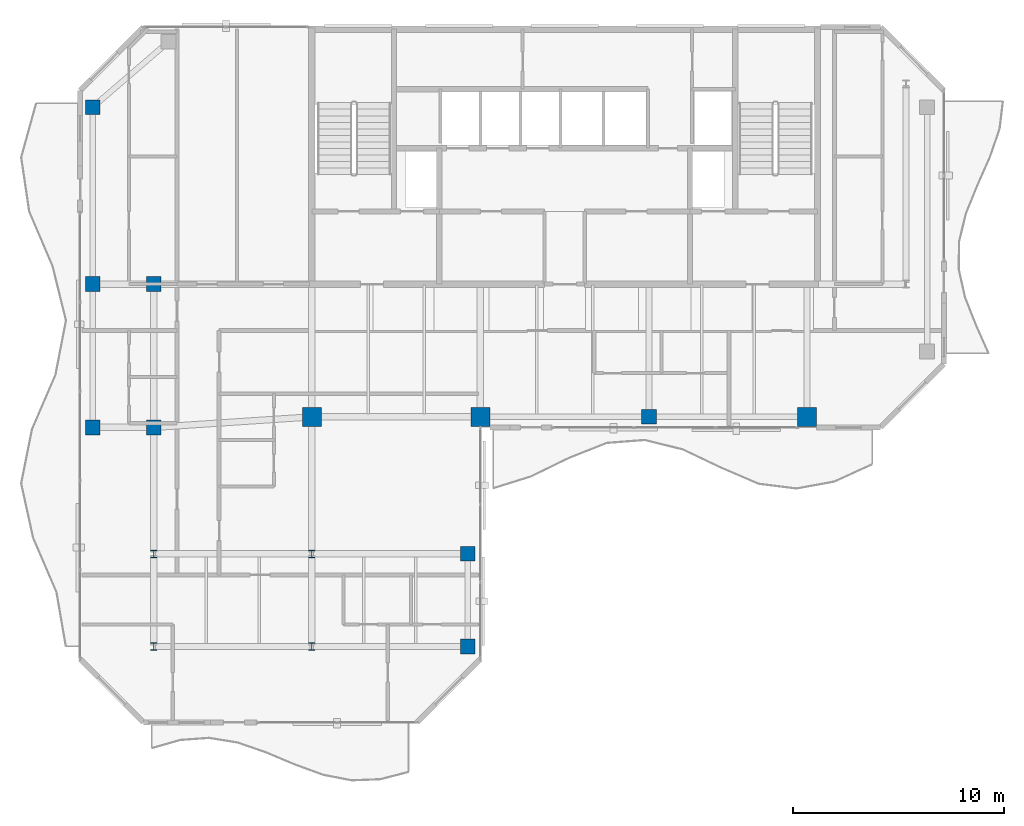
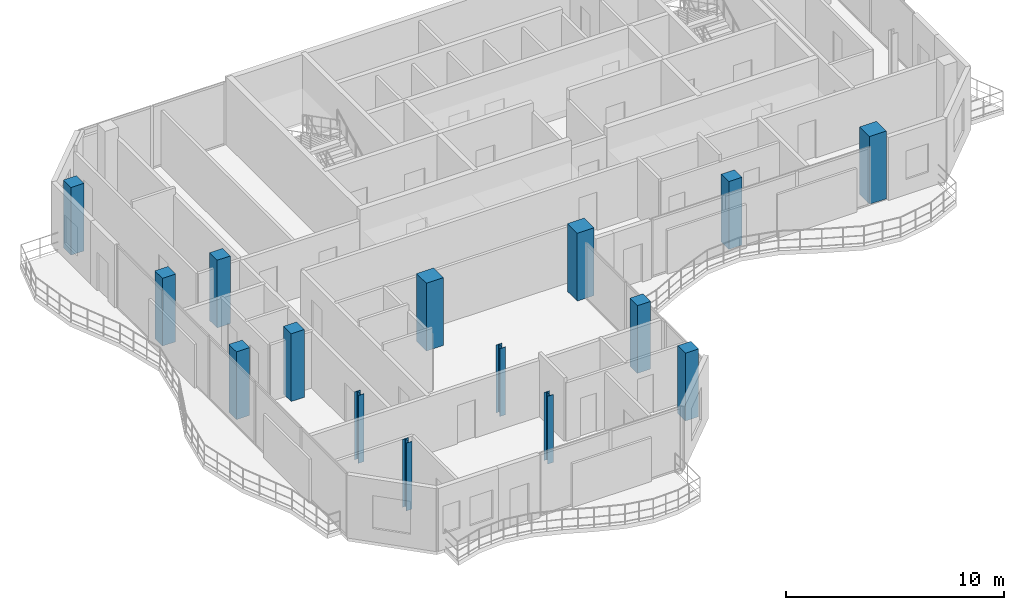
# One storey, part 1 of 23: 15 columns.
"""IFC4 building model written with IfcOpenShell, lengths in metres."""

import ifcopenshell
import ifcopenshell.guid

model = None  # the IFC model being written
_history = None  # IfcOwnerHistory: only IFC2X3 demands one
_inside = {}  # id of a spatial element -> (the spatial element, [elements in it])
_under = {}  # id of a project, library or spatial element -> (it, [spatial elements below it])
_declared = {}  # id of a project -> (the project, [libraries it declares])
_typed = {}  # id of a type object -> (the type object, [elements of that type])
_made_of = {}  # id of a material, layer set ... -> (it, [elements and type objects made of it])


def new_model(schema):
    """Start an empty IFC model of exactly this schema.

    Asked for "IFC4X3", IfcOpenShell would pick the latest addendum, in which some entities
    have other attributes; the version numbers below select the first issue.
    IFC2X3 requires an IfcOwnerHistory on every rooted entity: one is made here for all.
    """
    global model, _history
    if schema == "IFC4X3":
        model = ifcopenshell.file(schema_version=(4, 3, 0, 0))
    else:
        model = ifcopenshell.file(schema=schema)
    _inside.clear()
    _under.clear()
    _declared.clear()
    _typed.clear()
    _made_of.clear()
    _history = None
    if model.schema == "IFC2X3":
        org = make("IfcOrganization", Name="unknown")
        user = make(
            "IfcPersonAndOrganization",
            ThePerson=make("IfcPerson", FamilyName="unknown"),
            TheOrganization=org,
        )
        app = make(
            "IfcApplication",
            ApplicationDeveloper=org,
            Version="unknown",
            ApplicationFullName="unknown",
            ApplicationIdentifier="unknown",
        )
        _history = make(
            "IfcOwnerHistory",
            OwningUser=user,
            OwningApplication=app,
            ChangeAction="ADDED",
            CreationDate=0,
        )
    return model


def make(cls, **values):
    """One entity of the class cls with the attributes given. An attribute that is None is left unset."""
    return model.create_entity(
        cls, **{name: value for name, value in values.items() if value is not None}
    )


def rooted(cls, **values):
    """An entity with a GlobalId (a new one), such as an element, a storey or a relation."""
    return make(cls, GlobalId=ifcopenshell.guid.new(), OwnerHistory=_history, **values)


def si_unit(unit_type, name, prefix=None):
    """IfcSIUnit, for example si_unit("LENGTHUNIT", "METRE", prefix="MILLI")."""
    return make("IfcSIUnit", UnitType=unit_type, Prefix=prefix, Name=name)


def assignment(units):
    """IfcUnitAssignment: the units of a project."""
    return None if units is None else make("IfcUnitAssignment", Units=units)


def point(xyz):
    """IfcCartesianPoint."""
    return None if xyz is None else make("IfcCartesianPoint", Coordinates=xyz)


def direction(xyz):
    """IfcDirection."""
    return None if xyz is None else make("IfcDirection", DirectionRatios=xyz)


def frame(location, z_axis=None, x_axis=None):
    """IfcAxis2Placement3D, a coordinate frame: its origin and axes. An axis left out is left unset."""
    return make(
        "IfcAxis2Placement3D",
        Location=point(location),
        Axis=direction(z_axis),
        RefDirection=direction(x_axis),
    )


def frame_2d(location, x_axis=None):
    """IfcAxis2Placement2D, a coordinate frame in the plane: its origin and x axis."""
    return make(
        "IfcAxis2Placement2D", Location=point(location), RefDirection=direction(x_axis)
    )


def origin():
    """The frame at (0, 0, 0) with its axes left unset."""
    return frame((0.0, 0.0, 0.0))


def origin_2d():
    """The frame at (0, 0) in the plane with its x axis left unset."""
    return frame_2d((0.0, 0.0))


def place(relative_to, where):
    """IfcLocalPlacement: puts the frame where relative to a parent placement (None: the world)."""
    return make(
        "IfcLocalPlacement", PlacementRelTo=relative_to, RelativePlacement=where
    )


def context(
    kind, dimensions, precision=None, world=None, true_north=None, identifier=None
):
    """IfcGeometricRepresentationContext, for example the 3D "Model" context."""
    return make(
        "IfcGeometricRepresentationContext",
        ContextIdentifier=identifier,
        ContextType=kind,
        CoordinateSpaceDimension=dimensions,
        Precision=precision,
        WorldCoordinateSystem=world,
        TrueNorth=true_north,
    )


def subcontext(parent, identifier, kind, view, scale=None):
    """IfcGeometricRepresentationSubContext, for example "Body" below "Model"."""
    return make(
        "IfcGeometricRepresentationSubContext",
        ContextIdentifier=identifier,
        ContextType=kind,
        ParentContext=parent,
        TargetScale=scale,
        TargetView=view,
    )


def project(units=None, contexts=None):
    """IfcProject with its units and contexts."""
    return rooted(
        "IfcProject",
        Name="project",
        RepresentationContexts=contexts,
        UnitsInContext=assignment(units),
    )


def spatial(cls, under=None, at=None, **own):
    """A site, building, storey or space (cls), placed at a placement, below another one or the project."""
    s = rooted(cls, ObjectPlacement=at, **own)
    if under is not None:
        _under.setdefault(under.id(), (under, []))[1].append(s)
    return s


def profile(cls, at=None, kind="AREA", **sizes):
    """A parametric profile (cls). Its sizes go by their IFC names, for example OverallWidth=200.0."""
    return make(cls, ProfileType=kind, Position=at, **sizes)


def rectangle(**sizes):
    """IfcRectangleProfileDef."""
    return profile("IfcRectangleProfileDef", **sizes)


def i_section(**sizes):
    """IfcIShapeProfileDef."""
    return profile("IfcIShapeProfileDef", **sizes)


def extrude(swept, where, along, depth):
    """IfcExtrudedAreaSolid: the profile swept, set in the frame where, extruded along a direction by depth."""
    return make(
        "IfcExtrudedAreaSolid",
        SweptArea=swept,
        Position=where,
        ExtrudedDirection=direction(along),
        Depth=depth,
    )


def shape(context_of_items, identifier, shape_type, items):
    """IfcShapeRepresentation: the items that make up one representation, for example the "Body"."""
    return make(
        "IfcShapeRepresentation",
        ContextOfItems=context_of_items,
        RepresentationIdentifier=identifier,
        RepresentationType=shape_type,
        Items=items,
    )


def material(Name=None, Category=None):
    """IfcMaterial."""
    return make("IfcMaterial", Name=Name, Category=Category)


def material_profile(
    of_material, cross_section, Name=None, Category=None, Priority=None
):
    """IfcMaterialProfile: a cross section and its material."""
    return make(
        "IfcMaterialProfile",
        Name=Name,
        Material=of_material,
        Profile=cross_section,
        Priority=Priority,
        Category=Category,
    )


def profile_set(profiles, Name=None, composite=None):
    """IfcMaterialProfileSet."""
    return make(
        "IfcMaterialProfileSet",
        Name=Name,
        MaterialProfiles=profiles,
        CompositeProfile=composite,
    )


def made_of(thing, what):
    """Note that an element or type object is made of a material, layer set ...; save() writes the relation."""
    if what is not None:
        _made_of.setdefault(what.id(), (what, []))[1].append(thing)
    return thing


def type_object(cls, material=None, **own):
    """A type object (cls), such as IfcWallType, which elements share."""
    return made_of(rooted(cls, **own), material)


def element(
    cls,
    number,
    at=None,
    inside=None,
    cuts=None,
    type_object=None,
    material=None,
    context=None,
    identifier="Body",
    shape_type=None,
    held_by="IfcProductDefinitionShape",
    body=None,
    shapes=None,
    **own,
):
    """One element of the class cls, such as IfcWall. Its Tag is "e" and its number.

    at: its placement. inside: the storey or other place that contains it. cuts: it is an
    opening in that element (IfcRelVoidsElement). A single representation is given by context,
    identifier, shape_type and body (its items); several are given by shapes. held_by: the class
    of the entity that holds the representations. save() writes the other relations.
    """
    e = rooted(cls, Tag="e%d" % number, ObjectPlacement=at, **own)
    if body is not None:
        shapes = [shape(context, identifier, shape_type, body)]
    if shapes is not None:
        e.Representation = make(held_by, Representations=shapes)
    if inside is not None:
        _inside.setdefault(inside.id(), (inside, []))[1].append(e)
    if cuts is not None:
        rooted(
            "IfcRelVoidsElement", RelatingBuildingElement=cuts, RelatedOpeningElement=e
        )
    if type_object is not None:
        _typed.setdefault(type_object.id(), (type_object, []))[1].append(e)
    return made_of(e, material)


def aggregate(whole, parts):
    """IfcRelAggregates: a whole, such as a stair, and the parts it consists of."""
    return rooted("IfcRelAggregates", RelatingObject=whole, RelatedObjects=parts)


def save(model, path):
    """Write the relations noted so far, then the file.

    IfcRelAggregates (storeys below a building ...), IfcRelContainedInSpatialStructure (elements
    in a storey), IfcRelDefinesByType, IfcRelAssociatesMaterial and IfcRelDeclares: one each for
    every whole, place, type object, material and project.
    """
    for whole, parts in _under.values():
        aggregate(whole, parts)
    for where, things in _inside.values():
        rooted(
            "IfcRelContainedInSpatialStructure",
            RelatedElements=things,
            RelatingStructure=where,
        )
    for kind, things in _typed.values():
        rooted("IfcRelDefinesByType", RelatedObjects=things, RelatingType=kind)
    for what, things in _made_of.values():
        rooted("IfcRelAssociatesMaterial", RelatedObjects=things, RelatingMaterial=what)
    for by, libraries in _declared.values():
        rooted("IfcRelDeclares", RelatingContext=by, RelatedDefinitions=libraries)
    model.write(path)


model = new_model("IFC4")

# Units and contexts
model_context = context("Model", 3, precision=1e-05, world=origin(), true_north=direction((0.0, 1.0)))
body_context = subcontext(model_context, "Body", "Model", "MODEL_VIEW")
ifc_project = project(units=[si_unit("LENGTHUNIT", "METRE"), si_unit("AREAUNIT", "SQUARE_METRE"), si_unit("VOLUMEUNIT", "CUBIC_METRE"), si_unit("PLANEANGLEUNIT", "RADIAN"), si_unit("MASSUNIT", "GRAM", prefix="KILO")], contexts=[model_context])

# Site, building, storey
site_placement = place(None, origin())
site = spatial("IfcSite", under=ifc_project, at=site_placement, CompositionType="ELEMENT")
building_placement = place(site_placement, origin())
building = spatial("IfcBuilding", under=site, at=building_placement, Name="Catumbela Crestline Tower", CompositionType="ELEMENT")
storey_placement = place(building_placement, frame((0.0, 0.0, 248.8)))
storey = spatial("IfcBuildingStorey", under=building, at=storey_placement, Name="L64", CompositionType="ELEMENT", Elevation=248.8)

# Columns
ifc_material_1 = material(Name="Concrete C45/55", Category="concrete")
ifc_material_profile_1 = material_profile(ifc_material_1, rectangle(XDim=0.7, YDim=0.7, at=origin_2d()), Name="RC 700x700")
ifc_profile_set_1 = profile_set([ifc_material_profile_1], Name="Concrete C45/55")
column_type_1 = type_object("IfcColumnType", Name="C-RC700-C45", PredefinedType="COLUMN", material=ifc_profile_set_1)
for number, where, z_axis, x_axis, name in (
    (1, (8.5, 24.0, 0.0), (0.0, 0.0, 1.0), (1.0, 0.0, 0.0), "L64 Column C-08-24 (RC 700x700)"),
    (2, (32.0, 24.5, 0.0), (0.0, 0.0, 1.0), (1.0, 0.0, 0.0), "L64 Column C-32-24 (RC 700x700)"),
    (3, (5.6, 24.0, 0.0), (0.0, 0.0, 1.0), (1.0, 0.0, 0.0), "L64 Column C-05-24 (RC 700x700)"),
    (4, (5.6, 30.8, 0.0), (0.0, 0.0, 1.0), (1.0, 0.0, 0.0), "L64 Column C-05-31 (RC 700x700)"),
    (5, (5.6, 39.2, 0.0), (0.0, 0.0, 1.0), (1.0, 0.0, 0.0), "L64 Column C-05-43 (RC 700x700)"),
    (6, (8.5, 30.8, 0.0), (0.0, 0.0, 1.0), (1.0, 0.0, 0.0), "L64 Column C-08-31 (RC 700x700)"),
    (7, (23.4, 13.6, 0.0), (0.0, 0.0, 1.0), (1.0, 0.0, 0.0), "L64 Column C-24-10 (RC 700x700)"),
    (8, (23.4, 18.0, 0.0), (0.0, 0.0, 1.0), (1.0, 0.0, 0.0), "L64 Column C-24-16 (RC 700x700)"),
):
    element("IfcColumn", number, at=place(storey_placement, frame(where, z_axis=z_axis, x_axis=x_axis)), inside=storey, type_object=column_type_1, Name=name, PredefinedType="COLUMN", context=body_context, shape_type="SweptSolid", body=[
        extrude(rectangle(XDim=0.7, YDim=0.7, at=origin_2d()), origin(), (0.0, 0.0, 1.0), 3.8),
    ])
ifc_material_profile_2 = material_profile(ifc_material_1, rectangle(XDim=0.9, YDim=0.9, at=origin_2d()), Name="RC 900x900")
ifc_profile_set_2 = profile_set([ifc_material_profile_2], Name="Concrete C45/55")
column_type_2 = type_object("IfcColumnType", Name="C-RC900-C45", PredefinedType="COLUMN", material=ifc_profile_set_2)
for number, where, z_axis, x_axis, name in (
    (9, (16.0, 24.5, 0.0), (0.0, 0.0, 1.0), (1.0, 0.0, 0.0), "L64 Column C-16-24 (RC 900x900)"),
    (10, (24.0, 24.5, 0.0), (0.0, 0.0, 1.0), (1.0, 0.0, 0.0), "L64 Column C-24-24 (RC 900x900)"),
    (11, (39.5, 24.5, 0.0), (0.0, 0.0, 1.0), (1.0, 0.0, 0.0), "L64 Column C-40-24 (RC 900x900)"),
):
    element("IfcColumn", number, at=place(storey_placement, frame(where, z_axis=z_axis, x_axis=x_axis)), inside=storey, type_object=column_type_2, Name=name, PredefinedType="COLUMN", context=body_context, shape_type="SweptSolid", body=[
        extrude(rectangle(XDim=0.9, YDim=0.9, at=origin_2d()), origin(), (0.0, 0.0, 1.0), 3.8),
    ])
ifc_material_2 = material(Name="Structural steel S355J2", Category="steel")
ifc_material_profile_3 = material_profile(ifc_material_2, i_section(OverallWidth=0.3, OverallDepth=0.36, WebThickness=0.0125, FlangeThickness=0.0225, FilletRadius=0.027, at=origin_2d()), Name="HEB 360")
ifc_profile_set_3 = profile_set([ifc_material_profile_3], Name="Structural steel S355J2")
column_type_3 = type_object("IfcColumnType", Name="C-ST-HEB360", PredefinedType="COLUMN", material=ifc_profile_set_3)
for number, where, z_axis, x_axis, name in (
    (12, (8.5, 13.6, 0.0), (0.0, 0.0, 1.0), (1.0, 0.0, 0.0), "L64 Column CT-05-10 (HEB 360)"),
    (13, (16.0, 13.6, 0.0), (0.0, 0.0, 1.0), (1.0, 0.0, 0.0), "L64 Column CT-14-10 (HEB 360)"),
    (14, (8.5, 18.0, 0.0), (0.0, 0.0, 1.0), (1.0, 0.0, 0.0), "L64 Column CT-05-16 (HEB 360)"),
    (15, (16.0, 18.0, 0.0), (0.0, 0.0, 1.0), (1.0, 0.0, 0.0), "L64 Column CT-14-16 (HEB 360)"),
):
    element("IfcColumn", number, at=place(storey_placement, frame(where, z_axis=z_axis, x_axis=x_axis)), inside=storey, type_object=column_type_3, Name=name, PredefinedType="COLUMN", context=body_context, shape_type="SweptSolid", body=[
        extrude(i_section(OverallWidth=0.3, OverallDepth=0.36, WebThickness=0.0125, FlangeThickness=0.0225, FilletRadius=0.027, at=origin_2d()), origin(), (0.0, 0.0, 1.0), 3.8),
    ])

save(model, "model.ifc")
